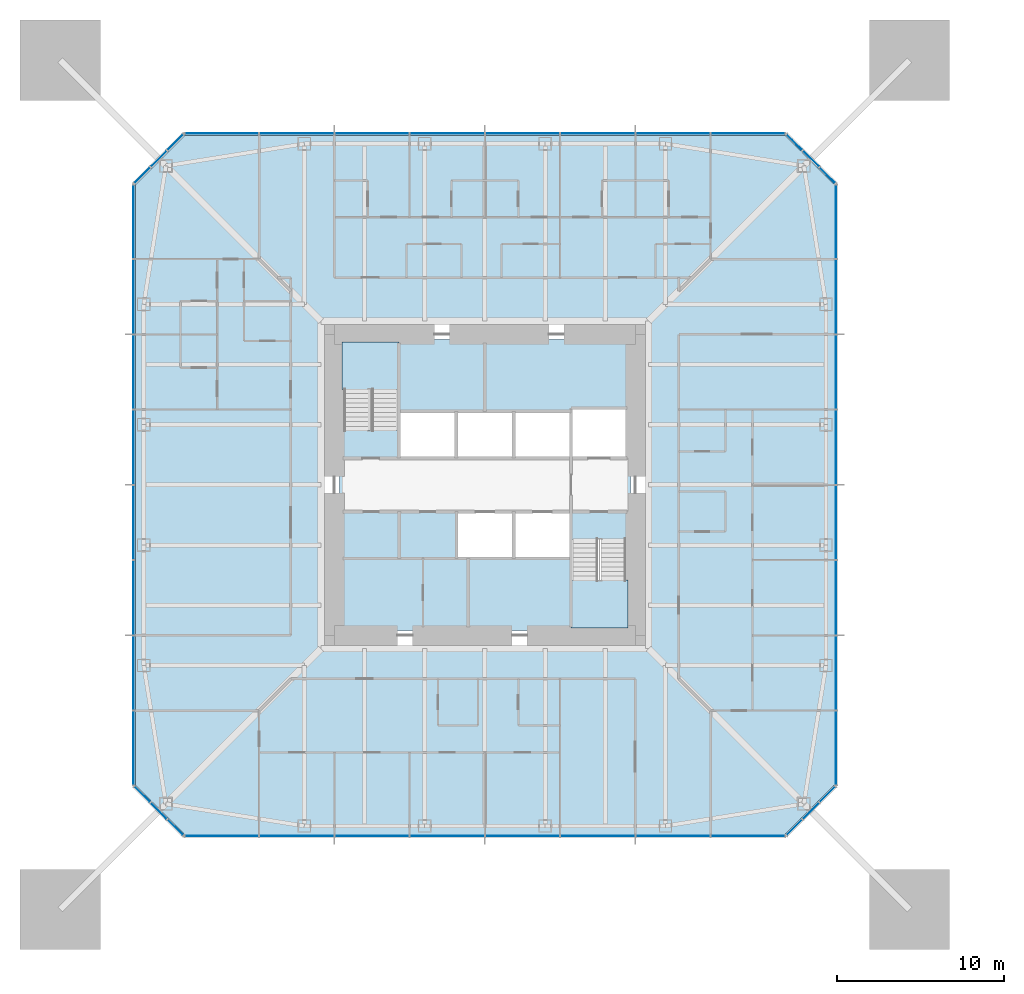
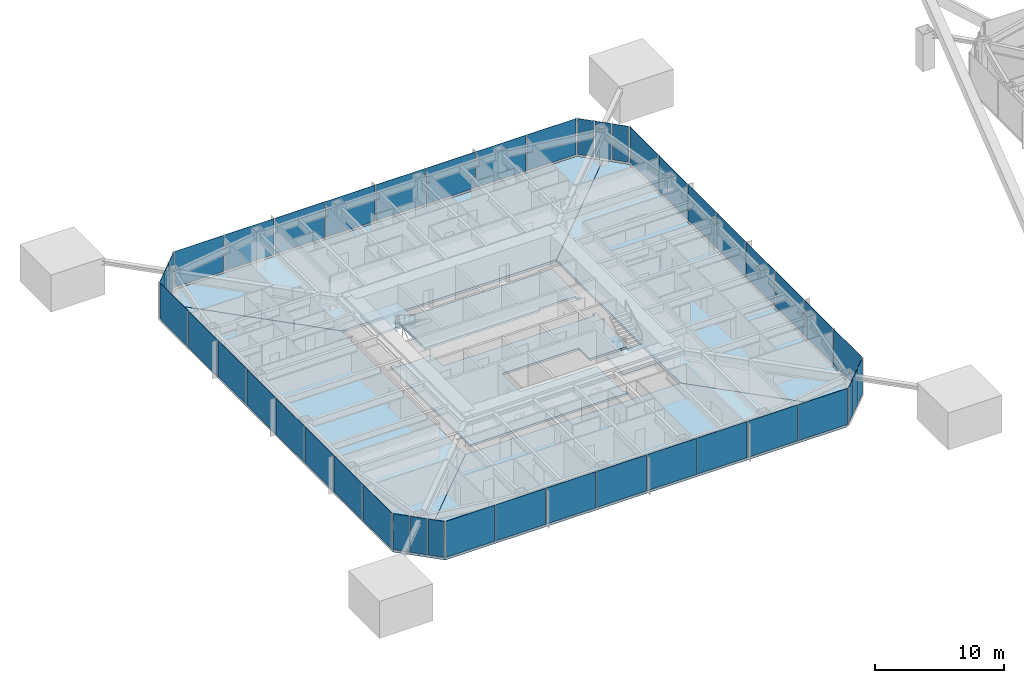
# One storey, part 9 of 23: 44 plates, 8 slabs, 10 elements without a shape of their own.
"""IFC4 building model written with IfcOpenShell, lengths in metres."""

from ifc_helpers import new_model, si_unit, direction, frame, origin, origin_2d, place, context, subcontext, project, spatial, polyline, rectangle, outline, extrude, material, layer, layer_set, constituent, constituent_set, type_object, element, aggregate, save


model = new_model("IFC4")

# Units and contexts
model_context = context("Model", 3, precision=1e-05, world=origin(), true_north=direction((0.0, 1.0)))
body_context = subcontext(model_context, "Body", "Model", "MODEL_VIEW")
ifc_project = project(units=[si_unit("LENGTHUNIT", "METRE"), si_unit("AREAUNIT", "SQUARE_METRE"), si_unit("VOLUMEUNIT", "CUBIC_METRE"), si_unit("PLANEANGLEUNIT", "RADIAN"), si_unit("MASSUNIT", "GRAM", prefix="KILO")], contexts=[model_context])

# Site, building, storey
site_placement = place(None, origin())
site = spatial("IfcSite", under=ifc_project, at=site_placement, CompositionType="ELEMENT")
building_placement = place(site_placement, origin())
building = spatial("IfcBuilding", under=site, at=building_placement, Name="Iwan Alto Co-Living Towers", CompositionType="ELEMENT")
storey_placement = place(building_placement, frame((0.0, 0.0, 122.5)))
storey = spatial("IfcBuildingStorey", under=building, at=storey_placement, Name="L33", CompositionType="ELEMENT", Elevation=122.5)

# Slabs
ifc_material_1 = material(Name="Concrete f'c 30 MPa", Category="concrete")
ifc_layer_1 = layer(ifc_material_1, 0.199951171875)
ifc_layer_set_1 = layer_set([ifc_layer_1], Name="CORE FLOOR SLAB 200")
slab_type_1 = type_object("IfcSlabType", Name="CORE FLOOR SLAB 200", PredefinedType="FLOOR", material=ifc_layer_set_1)
slab_1_placement = place(storey_placement, frame((0.0, 0.0, -0.199951171875)))
element("IfcSlab", 1, at=slab_1_placement, inside=storey, type_object=slab_type_1, Name="T1 core floor L33", PredefinedType="FLOOR", context=body_context, shape_type="SweptSolid", body=[
    extrude(outline(polyline([(5.14990234375, -1.60009765625), (1.72509765625, -1.60009765625), (-1.699951171875, -1.60009765625), (-1.699951171875, -4.39990234375), (1.72509765625, -4.39990234375), (5.14990234375, -4.39990234375), (5.14990234375, -8.39990234375), (5.4599609375, -8.39990234375), (5.4599609375, -8.699951171875), (-8.699951171875, -8.699951171875), (-8.699951171875, 3.580078125), (-8.39990234375, 3.580078125), (-8.39990234375, 3.27001953125), (-5.14990234375, 3.27001953125), (-5.14990234375, 1.60009765625), (-1.717041015625, 1.60009765625), (1.717041015625, 1.60009765625), (5.14990234375, 1.60009765625), (8.39990234375, 1.60009765625), (8.39990234375, 1.909912109375), (8.699951171875, 1.909912109375), (8.699951171875, -3.580078125), (8.39990234375, -3.580078125), (8.39990234375, -3.27001953125), (5.14990234375, -3.27001953125), (5.14990234375, -1.60009765625)])), origin(), (0.0, 0.0, 1.0), 0.199951171875),
])
slab_2_placement = place(storey_placement, frame((0.0, 0.0, -0.199951171875)))
element("IfcSlab", 2, at=slab_2_placement, inside=storey, type_object=slab_type_1, Name="T1 core floor L33", PredefinedType="FLOOR", context=body_context, shape_type="SweptSolid", body=[
    extrude(outline(polyline([(1.717041015625, 4.39990234375), (-1.717041015625, 4.39990234375), (-5.14990234375, 4.39990234375), (-5.14990234375, 8.39990234375), (-5.4599609375, 8.39990234375), (-5.4599609375, 8.699951171875), (8.699951171875, 8.699951171875), (8.699951171875, 4.2900390625), (8.39990234375, 4.2900390625), (8.39990234375, 4.60009765625), (5.14990234375, 4.60009765625), (5.14990234375, 4.39990234375), (1.717041015625, 4.39990234375)])), origin(), (0.0, 0.0, 1.0), 0.199951171875),
])

# Curtain wall, plates
ifc_material_2 = material(Name="Bronze aluminium unitised frame", Category="aluminium")
curtain_wall_type_1 = type_object("IfcCurtainWallType", Name="CURTAIN WALL CW-A", PredefinedType="NOTDEFINED", material=ifc_material_2)
curtain_wall_1_placement = place(storey_placement, origin())
curtain_wall_1 = element("IfcCurtainWall", 3, at=curtain_wall_1_placement, inside=storey, type_object=curtain_wall_type_1, Name="T1 curtain wall S L33", PredefinedType="NOTDEFINED")
ifc_material_3 = material(Name="Bronze-tinted insulating glass", Category="glass")
ifc_layer_2 = layer(ifc_material_3, 0.031982421875)
ifc_layer_set_2 = layer_set([ifc_layer_2], Name="CW-A PANEL TINTED IGU 32")
plate_type_1 = type_object("IfcPlateType", Name="CW-A PANEL TINTED IGU 32", PredefinedType="CURTAIN_PANEL", material=ifc_layer_set_2)
plate_1_placement = place(storey_placement, frame((-15.72998046875, -21.0, 0.10009765625), z_axis=(0.0, 0.0, 1.0), x_axis=(1.0, 0.0, 0.0)))
plate_1 = element("IfcPlate", 4, at=plate_1_placement, type_object=plate_type_1, Name="CW-A panel 1.1", PredefinedType="CURTAIN_PANEL", context=body_context, shape_type="SweptSolid", body=[
    extrude(rectangle(XDim=4.3798828125, YDim=0.031982421875, at=origin_2d()), origin(), (0.0, 0.0, 1.0), 3.39990234375),
])
plate_2_placement = place(storey_placement, frame((-11.25, -21.0, 0.10009765625), z_axis=(0.0, 0.0, 1.0), x_axis=(1.0, 0.0, 0.0)))
plate_2 = element("IfcPlate", 5, at=plate_2_placement, type_object=plate_type_1, Name="CW-A panel 2.1", PredefinedType="CURTAIN_PANEL", context=body_context, shape_type="SweptSolid", body=[
    extrude(rectangle(XDim=4.419921875, YDim=0.031982421875, at=origin_2d()), origin(), (0.0, 0.0, 1.0), 3.39990234375),
])
plate_3_placement = place(storey_placement, frame((-6.75, -21.0, 0.10009765625), z_axis=(0.0, 0.0, 1.0), x_axis=(1.0, 0.0, 0.0)))
plate_3 = element("IfcPlate", 6, at=plate_3_placement, type_object=plate_type_1, Name="CW-A panel 3.1", PredefinedType="CURTAIN_PANEL", context=body_context, shape_type="SweptSolid", body=[
    extrude(rectangle(XDim=4.419921875, YDim=0.031982421875, at=origin_2d()), origin(), (0.0, 0.0, 1.0), 3.39990234375),
])
plate_4_placement = place(storey_placement, frame((-2.25, -21.0, 0.10009765625), z_axis=(0.0, 0.0, 1.0), x_axis=(1.0, 0.0, 0.0)))
plate_4 = element("IfcPlate", 7, at=plate_4_placement, type_object=plate_type_1, Name="CW-A panel 4.1", PredefinedType="CURTAIN_PANEL", context=body_context, shape_type="SweptSolid", body=[
    extrude(rectangle(XDim=4.419921875, YDim=0.031982421875, at=origin_2d()), origin(), (0.0, 0.0, 1.0), 3.39990234375),
])
plate_5_placement = place(storey_placement, frame((2.25, -21.0, 0.10009765625), z_axis=(0.0, 0.0, 1.0), x_axis=(1.0, 0.0, 0.0)))
plate_5 = element("IfcPlate", 8, at=plate_5_placement, type_object=plate_type_1, Name="CW-A panel 5.1", PredefinedType="CURTAIN_PANEL", context=body_context, shape_type="SweptSolid", body=[
    extrude(rectangle(XDim=4.419921875, YDim=0.031982421875, at=origin_2d()), origin(), (0.0, 0.0, 1.0), 3.39990234375),
])
plate_6_placement = place(storey_placement, frame((6.75, -21.0, 0.10009765625), z_axis=(0.0, 0.0, 1.0), x_axis=(1.0, 0.0, 0.0)))
plate_6 = element("IfcPlate", 9, at=plate_6_placement, type_object=plate_type_1, Name="CW-A panel 6.1", PredefinedType="CURTAIN_PANEL", context=body_context, shape_type="SweptSolid", body=[
    extrude(rectangle(XDim=4.419921875, YDim=0.031982421875, at=origin_2d()), origin(), (0.0, 0.0, 1.0), 3.39990234375),
])
plate_7_placement = place(storey_placement, frame((11.25, -21.0, 0.10009765625), z_axis=(0.0, 0.0, 1.0), x_axis=(1.0, 0.0, 0.0)))
plate_7 = element("IfcPlate", 10, at=plate_7_placement, type_object=plate_type_1, Name="CW-A panel 7.1", PredefinedType="CURTAIN_PANEL", context=body_context, shape_type="SweptSolid", body=[
    extrude(rectangle(XDim=4.419921875, YDim=0.031982421875, at=origin_2d()), origin(), (0.0, 0.0, 1.0), 3.39990234375),
])
plate_8_placement = place(storey_placement, frame((15.72998046875, -21.0, 0.10009765625), z_axis=(0.0, 0.0, 1.0), x_axis=(1.0, 0.0, 0.0)))
plate_8 = element("IfcPlate", 11, at=plate_8_placement, type_object=plate_type_1, Name="CW-A panel 8.1", PredefinedType="CURTAIN_PANEL", context=body_context, shape_type="SweptSolid", body=[
    extrude(rectangle(XDim=4.3798828125, YDim=0.031982421875, at=origin_2d()), origin(), (0.0, 0.0, 1.0), 3.39990234375),
])
aggregate(curtain_wall_1, [plate_1, plate_2, plate_3, plate_4, plate_5, plate_6, plate_7, plate_8])

curtain_wall_2_placement = place(storey_placement, origin())
curtain_wall_2 = element("IfcCurtainWall", 12, at=curtain_wall_2_placement, inside=storey, type_object=curtain_wall_type_1, Name="T1 curtain wall E L33", PredefinedType="NOTDEFINED")
plate_9_placement = place(storey_placement, frame((21.0, -15.72998046875, 0.10009765625), z_axis=(0.0, 0.0, 1.0), x_axis=(0.0, 1.0, 0.0)))
plate_9 = element("IfcPlate", 13, at=plate_9_placement, type_object=plate_type_1, Name="CW-A panel 1.1", PredefinedType="CURTAIN_PANEL", context=body_context, shape_type="SweptSolid", body=[
    extrude(rectangle(XDim=4.3798828125, YDim=0.031982421875, at=origin_2d()), origin(), (0.0, 0.0, 1.0), 3.39990234375),
])
plate_10_placement = place(storey_placement, frame((21.0, -11.25, 0.10009765625), z_axis=(0.0, 0.0, 1.0), x_axis=(0.0, 1.0, 0.0)))
plate_10 = element("IfcPlate", 14, at=plate_10_placement, type_object=plate_type_1, Name="CW-A panel 2.1", PredefinedType="CURTAIN_PANEL", context=body_context, shape_type="SweptSolid", body=[
    extrude(rectangle(XDim=4.419921875, YDim=0.031982421875, at=origin_2d()), origin(), (0.0, 0.0, 1.0), 3.39990234375),
])
plate_11_placement = place(storey_placement, frame((21.0, -6.75, 0.10009765625), z_axis=(0.0, 0.0, 1.0), x_axis=(0.0, 1.0, 0.0)))
plate_11 = element("IfcPlate", 15, at=plate_11_placement, type_object=plate_type_1, Name="CW-A panel 3.1", PredefinedType="CURTAIN_PANEL", context=body_context, shape_type="SweptSolid", body=[
    extrude(rectangle(XDim=4.419921875, YDim=0.031982421875, at=origin_2d()), origin(), (0.0, 0.0, 1.0), 3.39990234375),
])
plate_12_placement = place(storey_placement, frame((21.0, -2.25, 0.10009765625), z_axis=(0.0, 0.0, 1.0), x_axis=(0.0, 1.0, 0.0)))
plate_12 = element("IfcPlate", 16, at=plate_12_placement, type_object=plate_type_1, Name="CW-A panel 4.1", PredefinedType="CURTAIN_PANEL", context=body_context, shape_type="SweptSolid", body=[
    extrude(rectangle(XDim=4.419921875, YDim=0.031982421875, at=origin_2d()), origin(), (0.0, 0.0, 1.0), 3.39990234375),
])
plate_13_placement = place(storey_placement, frame((21.0, 2.25, 0.10009765625), z_axis=(0.0, 0.0, 1.0), x_axis=(0.0, 1.0, 0.0)))
plate_13 = element("IfcPlate", 17, at=plate_13_placement, type_object=plate_type_1, Name="CW-A panel 5.1", PredefinedType="CURTAIN_PANEL", context=body_context, shape_type="SweptSolid", body=[
    extrude(rectangle(XDim=4.419921875, YDim=0.031982421875, at=origin_2d()), origin(), (0.0, 0.0, 1.0), 3.39990234375),
])
plate_14_placement = place(storey_placement, frame((21.0, 6.75, 0.10009765625), z_axis=(0.0, 0.0, 1.0), x_axis=(0.0, 1.0, 0.0)))
plate_14 = element("IfcPlate", 18, at=plate_14_placement, type_object=plate_type_1, Name="CW-A panel 6.1", PredefinedType="CURTAIN_PANEL", context=body_context, shape_type="SweptSolid", body=[
    extrude(rectangle(XDim=4.419921875, YDim=0.031982421875, at=origin_2d()), origin(), (0.0, 0.0, 1.0), 3.39990234375),
])
plate_15_placement = place(storey_placement, frame((21.0, 11.25, 0.10009765625), z_axis=(0.0, 0.0, 1.0), x_axis=(0.0, 1.0, 0.0)))
plate_15 = element("IfcPlate", 19, at=plate_15_placement, type_object=plate_type_1, Name="CW-A panel 7.1", PredefinedType="CURTAIN_PANEL", context=body_context, shape_type="SweptSolid", body=[
    extrude(rectangle(XDim=4.419921875, YDim=0.031982421875, at=origin_2d()), origin(), (0.0, 0.0, 1.0), 3.39990234375),
])
plate_16_placement = place(storey_placement, frame((21.0, 15.72998046875, 0.10009765625), z_axis=(0.0, 0.0, 1.0), x_axis=(0.0, 1.0, 0.0)))
plate_16 = element("IfcPlate", 20, at=plate_16_placement, type_object=plate_type_1, Name="CW-A panel 8.1", PredefinedType="CURTAIN_PANEL", context=body_context, shape_type="SweptSolid", body=[
    extrude(rectangle(XDim=4.3798828125, YDim=0.031982421875, at=origin_2d()), origin(), (0.0, 0.0, 1.0), 3.39990234375),
])
aggregate(curtain_wall_2, [plate_9, plate_10, plate_11, plate_12, plate_13, plate_14, plate_15, plate_16])

curtain_wall_3_placement = place(storey_placement, origin())
curtain_wall_3 = element("IfcCurtainWall", 21, at=curtain_wall_3_placement, inside=storey, type_object=curtain_wall_type_1, Name="T1 curtain wall N L33", PredefinedType="NOTDEFINED")
plate_17_placement = place(storey_placement, frame((15.72998046875, 21.0, 0.10009765625), z_axis=(0.0, 0.0, 1.0), x_axis=(-1.0, 0.0, 0.0)))
plate_17 = element("IfcPlate", 22, at=plate_17_placement, type_object=plate_type_1, Name="CW-A panel 1.1", PredefinedType="CURTAIN_PANEL", context=body_context, shape_type="SweptSolid", body=[
    extrude(rectangle(XDim=4.3798828125, YDim=0.031982421875, at=origin_2d()), origin(), (0.0, 0.0, 1.0), 3.39990234375),
])
plate_18_placement = place(storey_placement, frame((11.25, 21.0, 0.10009765625), z_axis=(0.0, 0.0, 1.0), x_axis=(-1.0, 0.0, 0.0)))
plate_18 = element("IfcPlate", 23, at=plate_18_placement, type_object=plate_type_1, Name="CW-A panel 2.1", PredefinedType="CURTAIN_PANEL", context=body_context, shape_type="SweptSolid", body=[
    extrude(rectangle(XDim=4.419921875, YDim=0.031982421875, at=origin_2d()), origin(), (0.0, 0.0, 1.0), 3.39990234375),
])
plate_19_placement = place(storey_placement, frame((6.75, 21.0, 0.10009765625), z_axis=(0.0, 0.0, 1.0), x_axis=(-1.0, 0.0, 0.0)))
plate_19 = element("IfcPlate", 24, at=plate_19_placement, type_object=plate_type_1, Name="CW-A panel 3.1", PredefinedType="CURTAIN_PANEL", context=body_context, shape_type="SweptSolid", body=[
    extrude(rectangle(XDim=4.419921875, YDim=0.031982421875, at=origin_2d()), origin(), (0.0, 0.0, 1.0), 3.39990234375),
])
plate_20_placement = place(storey_placement, frame((2.25, 21.0, 0.10009765625), z_axis=(0.0, 0.0, 1.0), x_axis=(-1.0, 0.0, 0.0)))
plate_20 = element("IfcPlate", 25, at=plate_20_placement, type_object=plate_type_1, Name="CW-A panel 4.1", PredefinedType="CURTAIN_PANEL", context=body_context, shape_type="SweptSolid", body=[
    extrude(rectangle(XDim=4.419921875, YDim=0.031982421875, at=origin_2d()), origin(), (0.0, 0.0, 1.0), 3.39990234375),
])
plate_21_placement = place(storey_placement, frame((-2.25, 21.0, 0.10009765625), z_axis=(0.0, 0.0, 1.0), x_axis=(-1.0, 0.0, 0.0)))
plate_21 = element("IfcPlate", 26, at=plate_21_placement, type_object=plate_type_1, Name="CW-A panel 5.1", PredefinedType="CURTAIN_PANEL", context=body_context, shape_type="SweptSolid", body=[
    extrude(rectangle(XDim=4.419921875, YDim=0.031982421875, at=origin_2d()), origin(), (0.0, 0.0, 1.0), 3.39990234375),
])
plate_22_placement = place(storey_placement, frame((-6.75, 21.0, 0.10009765625), z_axis=(0.0, 0.0, 1.0), x_axis=(-1.0, 0.0, 0.0)))
plate_22 = element("IfcPlate", 27, at=plate_22_placement, type_object=plate_type_1, Name="CW-A panel 6.1", PredefinedType="CURTAIN_PANEL", context=body_context, shape_type="SweptSolid", body=[
    extrude(rectangle(XDim=4.419921875, YDim=0.031982421875, at=origin_2d()), origin(), (0.0, 0.0, 1.0), 3.39990234375),
])
plate_23_placement = place(storey_placement, frame((-11.25, 21.0, 0.10009765625), z_axis=(0.0, 0.0, 1.0), x_axis=(-1.0, 0.0, 0.0)))
plate_23 = element("IfcPlate", 28, at=plate_23_placement, type_object=plate_type_1, Name="CW-A panel 7.1", PredefinedType="CURTAIN_PANEL", context=body_context, shape_type="SweptSolid", body=[
    extrude(rectangle(XDim=4.419921875, YDim=0.031982421875, at=origin_2d()), origin(), (0.0, 0.0, 1.0), 3.39990234375),
])
plate_24_placement = place(storey_placement, frame((-15.72998046875, 21.0, 0.10009765625), z_axis=(0.0, 0.0, 1.0), x_axis=(-1.0, 0.0, 0.0)))
plate_24 = element("IfcPlate", 29, at=plate_24_placement, type_object=plate_type_1, Name="CW-A panel 8.1", PredefinedType="CURTAIN_PANEL", context=body_context, shape_type="SweptSolid", body=[
    extrude(rectangle(XDim=4.3798828125, YDim=0.031982421875, at=origin_2d()), origin(), (0.0, 0.0, 1.0), 3.39990234375),
])
aggregate(curtain_wall_3, [plate_17, plate_18, plate_19, plate_20, plate_21, plate_22, plate_23, plate_24])

curtain_wall_4_placement = place(storey_placement, origin())
curtain_wall_4 = element("IfcCurtainWall", 30, at=curtain_wall_4_placement, inside=storey, type_object=curtain_wall_type_1, Name="T1 curtain wall W L33", PredefinedType="NOTDEFINED")
plate_25_placement = place(storey_placement, frame((-21.0, 15.72998046875, 0.10009765625), z_axis=(0.0, 0.0, 1.0), x_axis=(0.0, -1.0, 0.0)))
plate_25 = element("IfcPlate", 31, at=plate_25_placement, type_object=plate_type_1, Name="CW-A panel 1.1", PredefinedType="CURTAIN_PANEL", context=body_context, shape_type="SweptSolid", body=[
    extrude(rectangle(XDim=4.3798828125, YDim=0.031982421875, at=origin_2d()), origin(), (0.0, 0.0, 1.0), 3.39990234375),
])
plate_26_placement = place(storey_placement, frame((-21.0, 11.25, 0.10009765625), z_axis=(0.0, 0.0, 1.0), x_axis=(0.0, -1.0, 0.0)))
plate_26 = element("IfcPlate", 32, at=plate_26_placement, type_object=plate_type_1, Name="CW-A panel 2.1", PredefinedType="CURTAIN_PANEL", context=body_context, shape_type="SweptSolid", body=[
    extrude(rectangle(XDim=4.419921875, YDim=0.031982421875, at=origin_2d()), origin(), (0.0, 0.0, 1.0), 3.39990234375),
])
plate_27_placement = place(storey_placement, frame((-21.0, 6.75, 0.10009765625), z_axis=(0.0, 0.0, 1.0), x_axis=(0.0, -1.0, 0.0)))
plate_27 = element("IfcPlate", 33, at=plate_27_placement, type_object=plate_type_1, Name="CW-A panel 3.1", PredefinedType="CURTAIN_PANEL", context=body_context, shape_type="SweptSolid", body=[
    extrude(rectangle(XDim=4.419921875, YDim=0.031982421875, at=origin_2d()), origin(), (0.0, 0.0, 1.0), 3.39990234375),
])
plate_28_placement = place(storey_placement, frame((-21.0, 2.25, 0.10009765625), z_axis=(0.0, 0.0, 1.0), x_axis=(0.0, -1.0, 0.0)))
plate_28 = element("IfcPlate", 34, at=plate_28_placement, type_object=plate_type_1, Name="CW-A panel 4.1", PredefinedType="CURTAIN_PANEL", context=body_context, shape_type="SweptSolid", body=[
    extrude(rectangle(XDim=4.419921875, YDim=0.031982421875, at=origin_2d()), origin(), (0.0, 0.0, 1.0), 3.39990234375),
])
plate_29_placement = place(storey_placement, frame((-21.0, -2.25, 0.10009765625), z_axis=(0.0, 0.0, 1.0), x_axis=(0.0, -1.0, 0.0)))
plate_29 = element("IfcPlate", 35, at=plate_29_placement, type_object=plate_type_1, Name="CW-A panel 5.1", PredefinedType="CURTAIN_PANEL", context=body_context, shape_type="SweptSolid", body=[
    extrude(rectangle(XDim=4.419921875, YDim=0.031982421875, at=origin_2d()), origin(), (0.0, 0.0, 1.0), 3.39990234375),
])
plate_30_placement = place(storey_placement, frame((-21.0, -6.75, 0.10009765625), z_axis=(0.0, 0.0, 1.0), x_axis=(0.0, -1.0, 0.0)))
plate_30 = element("IfcPlate", 36, at=plate_30_placement, type_object=plate_type_1, Name="CW-A panel 6.1", PredefinedType="CURTAIN_PANEL", context=body_context, shape_type="SweptSolid", body=[
    extrude(rectangle(XDim=4.419921875, YDim=0.031982421875, at=origin_2d()), origin(), (0.0, 0.0, 1.0), 3.39990234375),
])
plate_31_placement = place(storey_placement, frame((-21.0, -11.25, 0.10009765625), z_axis=(0.0, 0.0, 1.0), x_axis=(0.0, -1.0, 0.0)))
plate_31 = element("IfcPlate", 37, at=plate_31_placement, type_object=plate_type_1, Name="CW-A panel 7.1", PredefinedType="CURTAIN_PANEL", context=body_context, shape_type="SweptSolid", body=[
    extrude(rectangle(XDim=4.419921875, YDim=0.031982421875, at=origin_2d()), origin(), (0.0, 0.0, 1.0), 3.39990234375),
])
plate_32_placement = place(storey_placement, frame((-21.0, -15.72998046875, 0.10009765625), z_axis=(0.0, 0.0, 1.0), x_axis=(0.0, -1.0, 0.0)))
plate_32 = element("IfcPlate", 38, at=plate_32_placement, type_object=plate_type_1, Name="CW-A panel 8.1", PredefinedType="CURTAIN_PANEL", context=body_context, shape_type="SweptSolid", body=[
    extrude(rectangle(XDim=4.3798828125, YDim=0.031982421875, at=origin_2d()), origin(), (0.0, 0.0, 1.0), 3.39990234375),
])
aggregate(curtain_wall_4, [plate_25, plate_26, plate_27, plate_28, plate_29, plate_30, plate_31, plate_32])

ifc_material_4 = material(Name="Bronze aluminium unitised frame", Category="aluminium")
curtain_wall_type_2 = type_object("IfcCurtainWallType", Name="CURTAIN WALL CW-B", PredefinedType="NOTDEFINED", material=ifc_material_4)
curtain_wall_5_placement = place(storey_placement, origin())
curtain_wall_5 = element("IfcCurtainWall", 39, at=curtain_wall_5_placement, inside=storey, type_object=curtain_wall_type_2, Name="T1 chamfer curtain wall SE L33", PredefinedType="NOTDEFINED")
ifc_material_5 = material(Name="Bronze-tinted insulating glass", Category="glass")
ifc_layer_3 = layer(ifc_material_5, 0.031982421875)
ifc_layer_set_3 = layer_set([ifc_layer_3], Name="CW-B PANEL TINTED IGU 32")
plate_type_2 = type_object("IfcPlateType", Name="CW-B PANEL TINTED IGU 32", PredefinedType="CURTAIN_PANEL", material=ifc_layer_set_3)
plate_33_placement = place(storey_placement, frame((18.51416015625, -20.48583984375, 0.10009765625), z_axis=(0.0, 0.0, 1.0), x_axis=(0.707106781187, 0.707106781187, 0.0)))
plate_33 = element("IfcPlate", 40, at=plate_33_placement, type_object=plate_type_2, Name="CW-B panel 1.1", PredefinedType="CURTAIN_PANEL", context=body_context, shape_type="SweptSolid", body=[
    extrude(rectangle(XDim=1.294189453125, YDim=0.031982421875, at=origin_2d()), origin(), (0.0, 0.0, 1.0), 3.39990234375),
])
plate_34_placement = place(storey_placement, frame((19.5, -19.5, 0.10009765625), z_axis=(0.0, 0.0, 1.0), x_axis=(0.707106781187, 0.707106781187, 0.0)))
plate_34 = element("IfcPlate", 41, at=plate_34_placement, type_object=plate_type_2, Name="CW-B panel 2.1", PredefinedType="CURTAIN_PANEL", context=body_context, shape_type="SweptSolid", body=[
    extrude(rectangle(XDim=1.334228515625, YDim=0.031982421875, at=origin_2d()), origin(), (0.0, 0.0, 1.0), 3.39990234375),
])
plate_35_placement = place(storey_placement, frame((20.48583984375, -18.51416015625, 0.10009765625), z_axis=(0.0, 0.0, 1.0), x_axis=(0.707106781187, 0.707106781187, 0.0)))
plate_35 = element("IfcPlate", 42, at=plate_35_placement, type_object=plate_type_2, Name="CW-B panel 3.1", PredefinedType="CURTAIN_PANEL", context=body_context, shape_type="SweptSolid", body=[
    extrude(rectangle(XDim=1.294189453125, YDim=0.031982421875, at=origin_2d()), origin(), (0.0, 0.0, 1.0), 3.39990234375),
])
aggregate(curtain_wall_5, [plate_33, plate_34, plate_35])

curtain_wall_6_placement = place(storey_placement, origin())
curtain_wall_6 = element("IfcCurtainWall", 43, at=curtain_wall_6_placement, inside=storey, type_object=curtain_wall_type_2, Name="T1 chamfer curtain wall NE L33", PredefinedType="NOTDEFINED")
plate_36_placement = place(storey_placement, frame((20.48583984375, 18.51416015625, 0.10009765625), z_axis=(0.0, 0.0, 1.0), x_axis=(-0.707106781187, 0.707106781187, 0.0)))
plate_36 = element("IfcPlate", 44, at=plate_36_placement, type_object=plate_type_2, Name="CW-B panel 1.1", PredefinedType="CURTAIN_PANEL", context=body_context, shape_type="SweptSolid", body=[
    extrude(rectangle(XDim=1.294189453125, YDim=0.031982421875, at=origin_2d()), origin(), (0.0, 0.0, 1.0), 3.39990234375),
])
plate_37_placement = place(storey_placement, frame((19.5, 19.5, 0.10009765625), z_axis=(0.0, 0.0, 1.0), x_axis=(-0.707106781187, 0.707106781187, 0.0)))
plate_37 = element("IfcPlate", 45, at=plate_37_placement, type_object=plate_type_2, Name="CW-B panel 2.1", PredefinedType="CURTAIN_PANEL", context=body_context, shape_type="SweptSolid", body=[
    extrude(rectangle(XDim=1.334228515625, YDim=0.031982421875, at=origin_2d()), origin(), (0.0, 0.0, 1.0), 3.39990234375),
])
plate_38_placement = place(storey_placement, frame((18.51416015625, 20.48583984375, 0.10009765625), z_axis=(0.0, 0.0, 1.0), x_axis=(-0.707106781187, 0.707106781187, 0.0)))
plate_38 = element("IfcPlate", 46, at=plate_38_placement, type_object=plate_type_2, Name="CW-B panel 3.1", PredefinedType="CURTAIN_PANEL", context=body_context, shape_type="SweptSolid", body=[
    extrude(rectangle(XDim=1.294189453125, YDim=0.031982421875, at=origin_2d()), origin(), (0.0, 0.0, 1.0), 3.39990234375),
])
aggregate(curtain_wall_6, [plate_36, plate_37, plate_38])

curtain_wall_7_placement = place(storey_placement, origin())
curtain_wall_7 = element("IfcCurtainWall", 47, at=curtain_wall_7_placement, inside=storey, type_object=curtain_wall_type_2, Name="T1 chamfer curtain wall NW L33", PredefinedType="NOTDEFINED")
plate_39_placement = place(storey_placement, frame((-18.51416015625, 20.48583984375, 0.10009765625), z_axis=(0.0, 0.0, 1.0), x_axis=(-0.707106781187, -0.707106781187, 0.0)))
plate_39 = element("IfcPlate", 48, at=plate_39_placement, type_object=plate_type_2, Name="CW-B panel 1.1", PredefinedType="CURTAIN_PANEL", context=body_context, shape_type="SweptSolid", body=[
    extrude(rectangle(XDim=1.294189453125, YDim=0.031982421875, at=origin_2d()), origin(), (0.0, 0.0, 1.0), 3.39990234375),
])
plate_40_placement = place(storey_placement, frame((-19.5, 19.5, 0.10009765625), z_axis=(0.0, 0.0, 1.0), x_axis=(-0.707106781187, -0.707106781187, 0.0)))
plate_40 = element("IfcPlate", 49, at=plate_40_placement, type_object=plate_type_2, Name="CW-B panel 2.1", PredefinedType="CURTAIN_PANEL", context=body_context, shape_type="SweptSolid", body=[
    extrude(rectangle(XDim=1.334228515625, YDim=0.031982421875, at=origin_2d()), origin(), (0.0, 0.0, 1.0), 3.39990234375),
])
plate_41_placement = place(storey_placement, frame((-20.48583984375, 18.51416015625, 0.10009765625), z_axis=(0.0, 0.0, 1.0), x_axis=(-0.707106781187, -0.707106781187, 0.0)))
plate_41 = element("IfcPlate", 50, at=plate_41_placement, type_object=plate_type_2, Name="CW-B panel 3.1", PredefinedType="CURTAIN_PANEL", context=body_context, shape_type="SweptSolid", body=[
    extrude(rectangle(XDim=1.294189453125, YDim=0.031982421875, at=origin_2d()), origin(), (0.0, 0.0, 1.0), 3.39990234375),
])
aggregate(curtain_wall_7, [plate_39, plate_40, plate_41])

curtain_wall_8_placement = place(storey_placement, origin())
curtain_wall_8 = element("IfcCurtainWall", 51, at=curtain_wall_8_placement, inside=storey, type_object=curtain_wall_type_2, Name="T1 chamfer curtain wall SW L33", PredefinedType="NOTDEFINED")
plate_42_placement = place(storey_placement, frame((-20.48583984375, -18.51416015625, 0.10009765625), z_axis=(0.0, 0.0, 1.0), x_axis=(0.707106781187, -0.707106781187, 0.0)))
plate_42 = element("IfcPlate", 52, at=plate_42_placement, type_object=plate_type_2, Name="CW-B panel 1.1", PredefinedType="CURTAIN_PANEL", context=body_context, shape_type="SweptSolid", body=[
    extrude(rectangle(XDim=1.294189453125, YDim=0.031982421875, at=origin_2d()), origin(), (0.0, 0.0, 1.0), 3.39990234375),
])
plate_43_placement = place(storey_placement, frame((-19.5, -19.5, 0.10009765625), z_axis=(0.0, 0.0, 1.0), x_axis=(0.707106781187, -0.707106781187, 0.0)))
plate_43 = element("IfcPlate", 53, at=plate_43_placement, type_object=plate_type_2, Name="CW-B panel 2.1", PredefinedType="CURTAIN_PANEL", context=body_context, shape_type="SweptSolid", body=[
    extrude(rectangle(XDim=1.334228515625, YDim=0.031982421875, at=origin_2d()), origin(), (0.0, 0.0, 1.0), 3.39990234375),
])
plate_44_placement = place(storey_placement, frame((-18.51416015625, -20.48583984375, 0.10009765625), z_axis=(0.0, 0.0, 1.0), x_axis=(0.707106781187, -0.707106781187, 0.0)))
plate_44 = element("IfcPlate", 54, at=plate_44_placement, type_object=plate_type_2, Name="CW-B panel 3.1", PredefinedType="CURTAIN_PANEL", context=body_context, shape_type="SweptSolid", body=[
    extrude(rectangle(XDim=1.294189453125, YDim=0.031982421875, at=origin_2d()), origin(), (0.0, 0.0, 1.0), 3.39990234375),
])
aggregate(curtain_wall_8, [plate_42, plate_43, plate_44])

# Stair, slab
ifc_material_6 = material(Name="Steel ASTM A36", Category="steel")
ifc_constituent_1 = constituent(ifc_material_6, Name="Stringers", Category="LoadBearing")
ifc_material_7 = material(Name="Concrete f'c 30 MPa", Category="concrete")
ifc_constituent_2 = constituent(ifc_material_7, Name="Tread fill", Category="Finish")
ifc_constituent_set = constituent_set(constituents=[ifc_constituent_1, ifc_constituent_2], Name="STAIR 3500 TWO-FLIGHT T1 CORE")
stair_type = type_object("IfcStairType", Name="STAIR 3500 TWO-FLIGHT T1 CORE", PredefinedType="HALF_TURN_STAIR", material=ifc_constituent_set)
stair_1_placement = place(storey_placement, origin())
stair_1 = element("IfcStair", 55, at=stair_1_placement, inside=storey, type_object=stair_type, Name="Stair T1-S1 L33 to L34", PredefinedType="HALF_TURN_STAIR")
ifc_material_8 = material(Name="Concrete f'c 30 MPa", Category="concrete")
ifc_layer_4 = layer(ifc_material_8, 0.199951171875)
ifc_layer_set_4 = layer_set([ifc_layer_4], Name="STAIR LANDING 200")
slab_type_2 = type_object("IfcSlabType", Name="STAIR LANDING 200", PredefinedType="LANDING", material=ifc_layer_set_4)
slab_3_placement = place(storey_placement, frame((0.0, 0.0, 1.550048828125)))
slab_3 = element("IfcSlab", 56, at=slab_3_placement, type_object=slab_type_2, Name="T1-S1 landing 1", PredefinedType="LANDING", context=body_context, shape_type="SweptSolid", body=[
    extrude(outline(polyline([(-8.550048828125, 5.68994140625), (-8.550048828125, 8.550048828125), (-5.14990234375, 8.550048828125), (-5.14990234375, 5.68994140625), (-8.550048828125, 5.68994140625)])), origin(), (0.0, 0.0, 1.0), 0.199951171875),
])
aggregate(stair_1, [slab_3])

stair_2_placement = place(storey_placement, origin())
stair_2 = element("IfcStair", 57, at=stair_2_placement, inside=storey, type_object=stair_type, Name="Stair T1-S2 L33 to L34", PredefinedType="HALF_TURN_STAIR")
slab_4_placement = place(storey_placement, frame((0.0, 0.0, 1.550048828125)))
slab_4 = element("IfcSlab", 58, at=slab_4_placement, type_object=slab_type_2, Name="T1-S2 landing 1", PredefinedType="LANDING", context=body_context, shape_type="SweptSolid", body=[
    extrude(outline(polyline([(5.14990234375, -5.68994140625), (5.14990234375, -8.550048828125), (8.550048828125, -8.550048828125), (8.550048828125, -5.68994140625), (5.14990234375, -5.68994140625)])), origin(), (0.0, 0.0, 1.0), 0.199951171875),
])
aggregate(stair_2, [slab_4])

# Slabs
ifc_material_9 = material(Name="Concrete f'c 30 MPa", Category="concrete")
ifc_layer_5 = layer(ifc_material_9, 0.22998046875)
ifc_layer_set_5 = layer_set([ifc_layer_5], Name="T1 FLOOR SLAB 230")
slab_type_3 = type_object("IfcSlabType", Name="T1 FLOOR SLAB 230", PredefinedType="FLOOR", material=ifc_layer_set_5)
slab_5_placement = place(storey_placement, frame((0.0, 0.0, -0.22998046875)))
element("IfcSlab", 59, at=slab_5_placement, inside=storey, type_object=slab_type_3, Name="T1 floor slab L33 S pour", PredefinedType="FLOOR", context=body_context, shape_type="SweptSolid", body=[
    extrude(outline(polyline([(17.94140625, -20.89990234375), (-17.94140625, -20.89990234375), (-19.420654296875, -19.420654296875), (-9.60009765625, -9.60009765625), (9.60009765625, -9.60009765625), (19.420654296875, -19.420654296875), (17.94140625, -20.89990234375)])), origin(), (0.0, 0.0, 1.0), 0.22998046875),
])
slab_6_placement = place(storey_placement, frame((0.0, 0.0, -0.22998046875)))
element("IfcSlab", 60, at=slab_6_placement, inside=storey, type_object=slab_type_3, Name="T1 floor slab L33 E pour", PredefinedType="FLOOR", context=body_context, shape_type="SweptSolid", body=[
    extrude(outline(polyline([(20.89990234375, 17.94140625), (20.89990234375, -17.94140625), (19.420654296875, -19.420654296875), (9.60009765625, -9.60009765625), (9.60009765625, 9.60009765625), (19.420654296875, 19.420654296875), (20.89990234375, 17.94140625)])), origin(), (0.0, 0.0, 1.0), 0.22998046875),
])
slab_7_placement = place(storey_placement, frame((0.0, 0.0, -0.22998046875)))
element("IfcSlab", 61, at=slab_7_placement, inside=storey, type_object=slab_type_3, Name="T1 floor slab L33 N pour", PredefinedType="FLOOR", context=body_context, shape_type="SweptSolid", body=[
    extrude(outline(polyline([(-17.94140625, 20.89990234375), (17.94140625, 20.89990234375), (19.420654296875, 19.420654296875), (9.60009765625, 9.60009765625), (-9.60009765625, 9.60009765625), (-19.420654296875, 19.420654296875), (-17.94140625, 20.89990234375)])), origin(), (0.0, 0.0, 1.0), 0.22998046875),
])
slab_8_placement = place(storey_placement, frame((0.0, 0.0, -0.22998046875)))
element("IfcSlab", 62, at=slab_8_placement, inside=storey, type_object=slab_type_3, Name="T1 floor slab L33 W pour", PredefinedType="FLOOR", context=body_context, shape_type="SweptSolid", body=[
    extrude(outline(polyline([(-20.89990234375, 17.94140625), (-19.420654296875, 19.420654296875), (-9.60009765625, 9.60009765625), (-9.60009765625, -9.60009765625), (-19.420654296875, -19.420654296875), (-20.89990234375, -17.94140625), (-20.89990234375, 17.94140625)])), origin(), (0.0, 0.0, 1.0), 0.22998046875),
])

save(model, "model.ifc")
